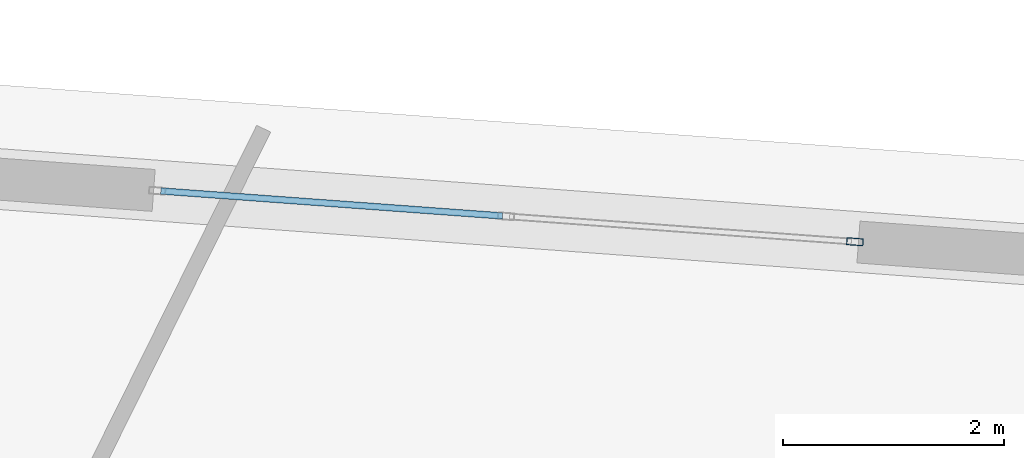
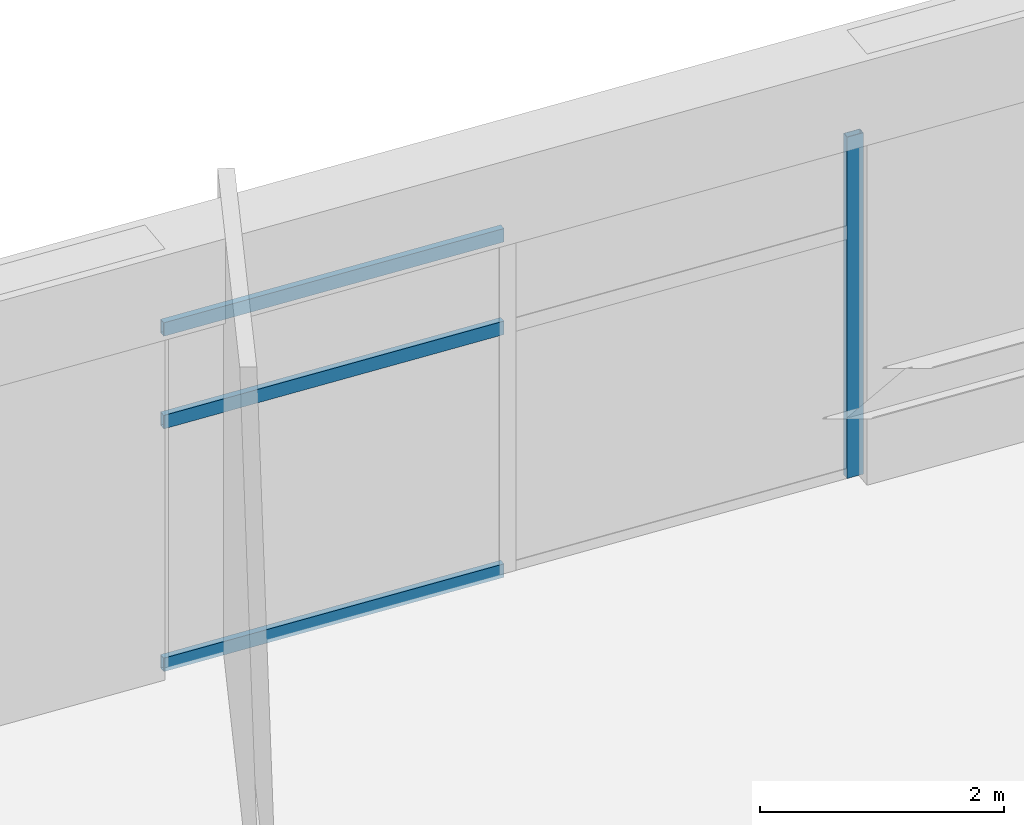
# One storey, part 28 of 39: 4 members, 1 element without a shape of its own.
"""IFC4 building model written with IfcOpenShell, lengths in metres."""

import ifcopenshell
import ifcopenshell.guid

model = None  # the IFC model being written
_history = None  # IfcOwnerHistory: only IFC2X3 demands one
_inside = {}  # id of a spatial element -> (the spatial element, [elements in it])
_under = {}  # id of a project, library or spatial element -> (it, [spatial elements below it])
_declared = {}  # id of a project -> (the project, [libraries it declares])
_typed = {}  # id of a type object -> (the type object, [elements of that type])
_made_of = {}  # id of a material, layer set ... -> (it, [elements and type objects made of it])


def new_model(schema):
    """Start an empty IFC model of exactly this schema.

    Asked for "IFC4X3", IfcOpenShell would pick the latest addendum, in which some entities
    have other attributes; the version numbers below select the first issue.
    IFC2X3 requires an IfcOwnerHistory on every rooted entity: one is made here for all.
    """
    global model, _history
    if schema == "IFC4X3":
        model = ifcopenshell.file(schema_version=(4, 3, 0, 0))
    else:
        model = ifcopenshell.file(schema=schema)
    _inside.clear()
    _under.clear()
    _declared.clear()
    _typed.clear()
    _made_of.clear()
    _history = None
    if model.schema == "IFC2X3":
        org = make("IfcOrganization", Name="unknown")
        user = make(
            "IfcPersonAndOrganization",
            ThePerson=make("IfcPerson", FamilyName="unknown"),
            TheOrganization=org,
        )
        app = make(
            "IfcApplication",
            ApplicationDeveloper=org,
            Version="unknown",
            ApplicationFullName="unknown",
            ApplicationIdentifier="unknown",
        )
        _history = make(
            "IfcOwnerHistory",
            OwningUser=user,
            OwningApplication=app,
            ChangeAction="ADDED",
            CreationDate=0,
        )
    return model


def make(cls, **values):
    """One entity of the class cls with the attributes given. An attribute that is None is left unset."""
    return model.create_entity(
        cls, **{name: value for name, value in values.items() if value is not None}
    )


def rooted(cls, **values):
    """An entity with a GlobalId (a new one), such as an element, a storey or a relation."""
    return make(cls, GlobalId=ifcopenshell.guid.new(), OwnerHistory=_history, **values)


def si_unit(unit_type, name, prefix=None):
    """IfcSIUnit, for example si_unit("LENGTHUNIT", "METRE", prefix="MILLI")."""
    return make("IfcSIUnit", UnitType=unit_type, Prefix=prefix, Name=name)


def assignment(units):
    """IfcUnitAssignment: the units of a project."""
    return None if units is None else make("IfcUnitAssignment", Units=units)


def point(xyz):
    """IfcCartesianPoint."""
    return None if xyz is None else make("IfcCartesianPoint", Coordinates=xyz)


def direction(xyz):
    """IfcDirection."""
    return None if xyz is None else make("IfcDirection", DirectionRatios=xyz)


def frame(location, z_axis=None, x_axis=None):
    """IfcAxis2Placement3D, a coordinate frame: its origin and axes. An axis left out is left unset."""
    return make(
        "IfcAxis2Placement3D",
        Location=point(location),
        Axis=direction(z_axis),
        RefDirection=direction(x_axis),
    )


def frame_2d(location, x_axis=None):
    """IfcAxis2Placement2D, a coordinate frame in the plane: its origin and x axis."""
    return make(
        "IfcAxis2Placement2D", Location=point(location), RefDirection=direction(x_axis)
    )


def origin():
    """The frame at (0, 0, 0) with its axes left unset."""
    return frame((0.0, 0.0, 0.0))


def origin_2d():
    """The frame at (0, 0) in the plane with its x axis left unset."""
    return frame_2d((0.0, 0.0))


def place(relative_to, where):
    """IfcLocalPlacement: puts the frame where relative to a parent placement (None: the world)."""
    return make(
        "IfcLocalPlacement", PlacementRelTo=relative_to, RelativePlacement=where
    )


def context(
    kind, dimensions, precision=None, world=None, true_north=None, identifier=None
):
    """IfcGeometricRepresentationContext, for example the 3D "Model" context."""
    return make(
        "IfcGeometricRepresentationContext",
        ContextIdentifier=identifier,
        ContextType=kind,
        CoordinateSpaceDimension=dimensions,
        Precision=precision,
        WorldCoordinateSystem=world,
        TrueNorth=true_north,
    )


def subcontext(parent, identifier, kind, view, scale=None):
    """IfcGeometricRepresentationSubContext, for example "Body" below "Model"."""
    return make(
        "IfcGeometricRepresentationSubContext",
        ContextIdentifier=identifier,
        ContextType=kind,
        ParentContext=parent,
        TargetScale=scale,
        TargetView=view,
    )


def project(units=None, contexts=None):
    """IfcProject with its units and contexts."""
    return rooted(
        "IfcProject",
        Name="project",
        RepresentationContexts=contexts,
        UnitsInContext=assignment(units),
    )


def spatial(cls, under=None, at=None, **own):
    """A site, building, storey or space (cls), placed at a placement, below another one or the project."""
    s = rooted(cls, ObjectPlacement=at, **own)
    if under is not None:
        _under.setdefault(under.id(), (under, []))[1].append(s)
    return s


def profile(cls, at=None, kind="AREA", **sizes):
    """A parametric profile (cls). Its sizes go by their IFC names, for example OverallWidth=200.0."""
    return make(cls, ProfileType=kind, Position=at, **sizes)


def hollow_rectangle(**sizes):
    """IfcRectangleHollowProfileDef."""
    return profile("IfcRectangleHollowProfileDef", **sizes)


def extrude(swept, where, along, depth):
    """IfcExtrudedAreaSolid: the profile swept, set in the frame where, extruded along a direction by depth."""
    return make(
        "IfcExtrudedAreaSolid",
        SweptArea=swept,
        Position=where,
        ExtrudedDirection=direction(along),
        Depth=depth,
    )


def shape(context_of_items, identifier, shape_type, items):
    """IfcShapeRepresentation: the items that make up one representation, for example the "Body"."""
    return make(
        "IfcShapeRepresentation",
        ContextOfItems=context_of_items,
        RepresentationIdentifier=identifier,
        RepresentationType=shape_type,
        Items=items,
    )


def source(mapping_origin, context_of_items, identifier, shape_type, items):
    """IfcRepresentationMap: a shape defined once, which mapped items show again and again."""
    return make(
        "IfcRepresentationMap",
        MappingOrigin=mapping_origin,
        MappedRepresentation=shape(context_of_items, identifier, shape_type, items),
    )


def transform(
    local_origin,
    x_axis=None,
    y_axis=None,
    z_axis=None,
    scale=None,
    scale2=None,
    scale3=None,
    uniform=True,
):
    """IfcCartesianTransformationOperator3D, or its non-uniform kind. x_axis, y_axis, z_axis: its Axis1, 2, 3."""
    if uniform:
        return make(
            "IfcCartesianTransformationOperator3D",
            Axis1=direction(x_axis),
            Axis2=direction(y_axis),
            LocalOrigin=point(local_origin),
            Scale=scale,
            Axis3=direction(z_axis),
        )
    return make(
        "IfcCartesianTransformationOperator3DnonUniform",
        Axis1=direction(x_axis),
        Axis2=direction(y_axis),
        LocalOrigin=point(local_origin),
        Scale=scale,
        Axis3=direction(z_axis),
        Scale2=scale2,
        Scale3=scale3,
    )


def mapped(mapping_source, mapping_target):
    """IfcMappedItem: shows the shape of a source again, moved by a transform."""
    return make(
        "IfcMappedItem", MappingSource=mapping_source, MappingTarget=mapping_target
    )


def material(Name=None, Category=None):
    """IfcMaterial."""
    return make("IfcMaterial", Name=Name, Category=Category)


def layer(
    of_material, thickness, ventilated=None, Name=None, Category=None, Priority=None
):
    """IfcMaterialLayer: one layer of a wall or slab, of a material (None: an air gap)."""
    return make(
        "IfcMaterialLayer",
        Material=of_material,
        LayerThickness=thickness,
        IsVentilated=ventilated,
        Name=Name,
        Category=Category,
        Priority=Priority,
    )


def layer_set(layers, Name=None):
    """IfcMaterialLayerSet."""
    return make("IfcMaterialLayerSet", MaterialLayers=layers, LayerSetName=Name)


def material_profile(
    of_material, cross_section, Name=None, Category=None, Priority=None
):
    """IfcMaterialProfile: a cross section and its material."""
    return make(
        "IfcMaterialProfile",
        Name=Name,
        Material=of_material,
        Profile=cross_section,
        Priority=Priority,
        Category=Category,
    )


def profile_set(profiles, Name=None, composite=None):
    """IfcMaterialProfileSet."""
    return make(
        "IfcMaterialProfileSet",
        Name=Name,
        MaterialProfiles=profiles,
        CompositeProfile=composite,
    )


def made_of(thing, what):
    """Note that an element or type object is made of a material, layer set ...; save() writes the relation."""
    if what is not None:
        _made_of.setdefault(what.id(), (what, []))[1].append(thing)
    return thing


def type_object(cls, material=None, **own):
    """A type object (cls), such as IfcWallType, which elements share."""
    return made_of(rooted(cls, **own), material)


def element(
    cls,
    number,
    at=None,
    inside=None,
    cuts=None,
    type_object=None,
    material=None,
    context=None,
    identifier="Body",
    shape_type=None,
    held_by="IfcProductDefinitionShape",
    body=None,
    shapes=None,
    **own,
):
    """One element of the class cls, such as IfcWall. Its Tag is "e" and its number.

    at: its placement. inside: the storey or other place that contains it. cuts: it is an
    opening in that element (IfcRelVoidsElement). A single representation is given by context,
    identifier, shape_type and body (its items); several are given by shapes. held_by: the class
    of the entity that holds the representations. save() writes the other relations.
    """
    e = rooted(cls, Tag="e%d" % number, ObjectPlacement=at, **own)
    if body is not None:
        shapes = [shape(context, identifier, shape_type, body)]
    if shapes is not None:
        e.Representation = make(held_by, Representations=shapes)
    if inside is not None:
        _inside.setdefault(inside.id(), (inside, []))[1].append(e)
    if cuts is not None:
        rooted(
            "IfcRelVoidsElement", RelatingBuildingElement=cuts, RelatedOpeningElement=e
        )
    if type_object is not None:
        _typed.setdefault(type_object.id(), (type_object, []))[1].append(e)
    return made_of(e, material)


def aggregate(whole, parts):
    """IfcRelAggregates: a whole, such as a stair, and the parts it consists of."""
    return rooted("IfcRelAggregates", RelatingObject=whole, RelatedObjects=parts)


def save(model, path):
    """Write the relations noted so far, then the file.

    IfcRelAggregates (storeys below a building ...), IfcRelContainedInSpatialStructure (elements
    in a storey), IfcRelDefinesByType, IfcRelAssociatesMaterial and IfcRelDeclares: one each for
    every whole, place, type object, material and project.
    """
    for whole, parts in _under.values():
        aggregate(whole, parts)
    for where, things in _inside.values():
        rooted(
            "IfcRelContainedInSpatialStructure",
            RelatedElements=things,
            RelatingStructure=where,
        )
    for kind, things in _typed.values():
        rooted("IfcRelDefinesByType", RelatedObjects=things, RelatingType=kind)
    for what, things in _made_of.values():
        rooted("IfcRelAssociatesMaterial", RelatedObjects=things, RelatingMaterial=what)
    for by, libraries in _declared.values():
        rooted("IfcRelDeclares", RelatingContext=by, RelatedDefinitions=libraries)
    model.write(path)


model = new_model("IFC4")

# Units and contexts
model_context = context("Model", 3, precision=1e-05, world=origin(), true_north=direction((0.0, 1.0)))
body_context = subcontext(model_context, "Body", "Model", "MODEL_VIEW")
ifc_project = project(units=[si_unit("LENGTHUNIT", "METRE"), si_unit("AREAUNIT", "SQUARE_METRE"), si_unit("VOLUMEUNIT", "CUBIC_METRE"), si_unit("PLANEANGLEUNIT", "RADIAN"), si_unit("MASSUNIT", "GRAM", prefix="KILO")], contexts=[model_context])

# Site, building, storey
site_placement = place(None, origin())
site = spatial("IfcSite", under=ifc_project, at=site_placement, CompositionType="ELEMENT")
building_placement = place(site_placement, origin())
building = spatial("IfcBuilding", under=site, at=building_placement, Name="Liaohun Quay Tower", CompositionType="ELEMENT")
storey_placement = place(building_placement, frame((0.0, 0.0, 189.75)))
storey = spatial("IfcBuildingStorey", under=building, at=storey_placement, Name="L49", CompositionType="ELEMENT", Elevation=189.75)

# Curtain wall, members
ifc_material_1 = material(Name="Mid-height zone-break sky-lobby curtain wall")
ifc_layer = layer(ifc_material_1, 0.199951171875, Name="Mid-height zone-break sky-lobby curtain wall")
ifc_layer_set = layer_set([ifc_layer], Name="Mid-height zone-break sky-lobby curtain wall")
curtain_wall_type = type_object("IfcCurtainWallType", Name="CW-SKY-L49", PredefinedType="NOTDEFINED", material=ifc_layer_set)
curtain_wall_placement = place(storey_placement, origin())
curtain_wall = element("IfcCurtainWall", 1, at=curtain_wall_placement, inside=storey, type_object=curtain_wall_type, Name="L49 Panoramic Belvedere Curtain Wall 03", PredefinedType="NOTDEFINED")
ifc_material_2 = material(Name="Anodised aluminium 6063-T6", Category="aluminium")
ifc_material_profile_1 = material_profile(ifc_material_2, hollow_rectangle(XDim=0.06494140625, YDim=0.14990234375, WallThickness=0.00390625, at=origin_2d()), Name="RHS150x65x4")
ifc_profile_set_1 = profile_set([ifc_material_profile_1], Name="Anodised aluminium 6063-T6")
member_type_1 = type_object("IfcMemberType", Name="MEM-CWM-SKY", PredefinedType="MULLION", material=ifc_profile_set_1)
shared_shape_1 = source(origin(), body_context, "Body", "SweptSolid", [
    extrude(hollow_rectangle(XDim=0.06494140625, YDim=0.14990234375, WallThickness=0.00390625, at=origin_2d()), origin(), (0.0, 0.0, 1.0), 3.419921875),
])
member_1_placement = place(storey_placement, frame((78.728515625, 77.63134765625, 0.0), z_axis=(0.0, 0.0, 1.0), x_axis=(-0.072968057021, -0.997334278291, 0.0)))
member_1 = element("IfcMember", 2, at=member_1_placement, type_object=member_type_1, Name="CW4 mullion 1", PredefinedType="MULLION", context=body_context, shape_type="MappedRepresentation", body=[
    mapped(shared_shape_1, transform((0.0, 0.0, 0.0), x_axis=(1.0, 0.0, 0.0), y_axis=(0.0, 1.0, 0.0), z_axis=(0.0, 0.0, 1.0), scale=1.0)),
])
ifc_material_profile_2 = material_profile(ifc_material_2, hollow_rectangle(XDim=0.06005859375, YDim=0.135009765625, WallThickness=0.00390625, at=origin_2d()), Name="RHS135x60x4")
ifc_profile_set_2 = profile_set([ifc_material_profile_2], Name="Anodised aluminium 6063-T6")
member_type_2 = type_object("IfcMemberType", Name="MEM-CWT-SKY", PredefinedType="USERDEFINED", material=ifc_profile_set_2)
shared_shape_2 = source(origin(), body_context, "Body", "SweptSolid", [
    extrude(hollow_rectangle(XDim=0.06005859375, YDim=0.135009765625, WallThickness=0.00390625, at=origin_2d()), origin(), (0.0, 0.0, 1.0), 3.1025390625),
])
member_2_placement = place(storey_placement, frame((75.537109375, 77.864990234375, 0.030029296875), z_axis=(-0.997335818516, 0.072947002033, 0.0), x_axis=(-0.072947002033, -0.997335818516, 0.0)))
member_2 = element("IfcMember", 3, at=member_2_placement, type_object=member_type_2, Name="CW4 transom 2.1", ObjectType="TRANSOM", PredefinedType="USERDEFINED", context=body_context, shape_type="MappedRepresentation", body=[
    mapped(shared_shape_2, transform((0.0, 0.0, 0.0), x_axis=(1.0, 0.0, 0.0), y_axis=(0.0, 1.0, 0.0), z_axis=(0.0, 0.0, 1.0), scale=1.0)),
])
member_3_placement = place(storey_placement, frame((75.537109375, 77.864990234375, 2.4619140625), z_axis=(-0.997335818516, 0.072947002033, 0.0), x_axis=(-0.072947002033, -0.997335818516, 0.0)))
member_3 = element("IfcMember", 4, at=member_3_placement, type_object=member_type_2, Name="CW4 transom 2.2", ObjectType="TRANSOM", PredefinedType="USERDEFINED", context=body_context, shape_type="MappedRepresentation", body=[
    mapped(shared_shape_2, transform((0.0, 0.0, 0.0), x_axis=(1.0, 0.0, 0.0), y_axis=(0.0, 1.0, 0.0), z_axis=(0.0, 0.0, 1.0), scale=1.0)),
])
member_4_placement = place(storey_placement, frame((75.537109375, 77.864990234375, 3.389892578125), z_axis=(-0.997335818516, 0.072947002033, 0.0), x_axis=(-0.072947002033, -0.997335818516, 0.0)))
member_4 = element("IfcMember", 5, at=member_4_placement, type_object=member_type_2, Name="CW4 transom 2.3", ObjectType="TRANSOM", PredefinedType="USERDEFINED", context=body_context, shape_type="MappedRepresentation", body=[
    mapped(shared_shape_2, transform((0.0, 0.0, 0.0), x_axis=(1.0, 0.0, 0.0), y_axis=(0.0, 1.0, 0.0), z_axis=(0.0, 0.0, 1.0), scale=1.0)),
])
aggregate(curtain_wall, [member_1, member_2, member_3, member_4])

save(model, "model.ifc")
